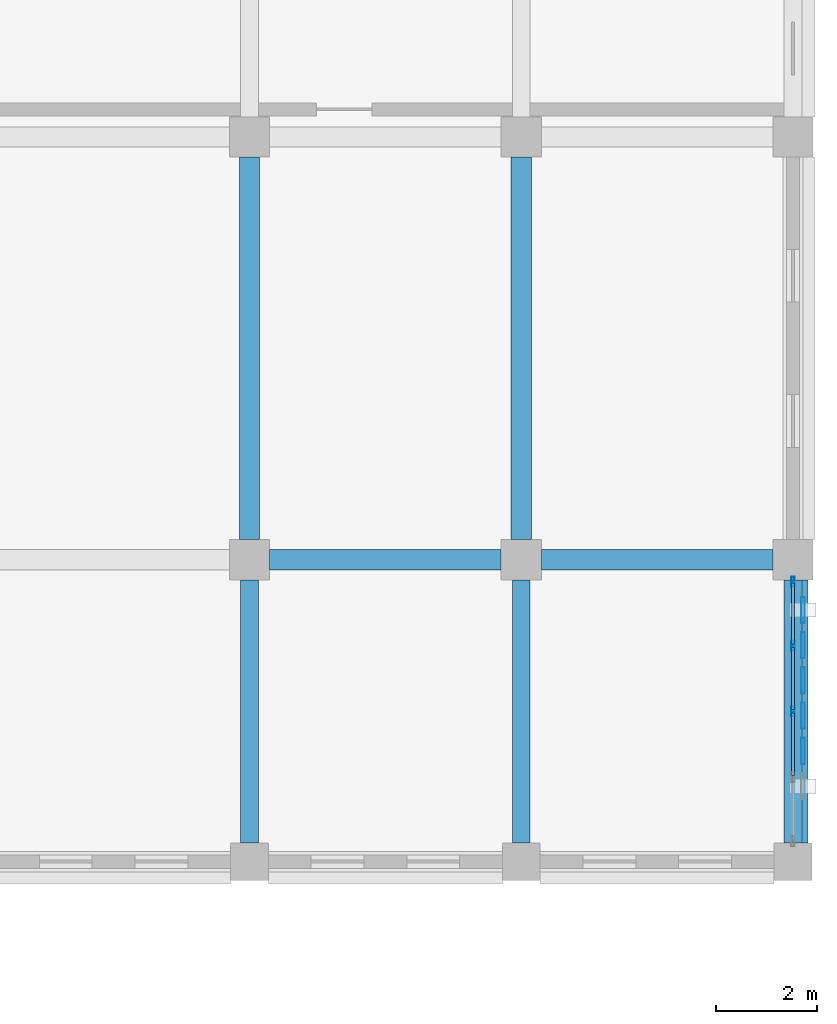
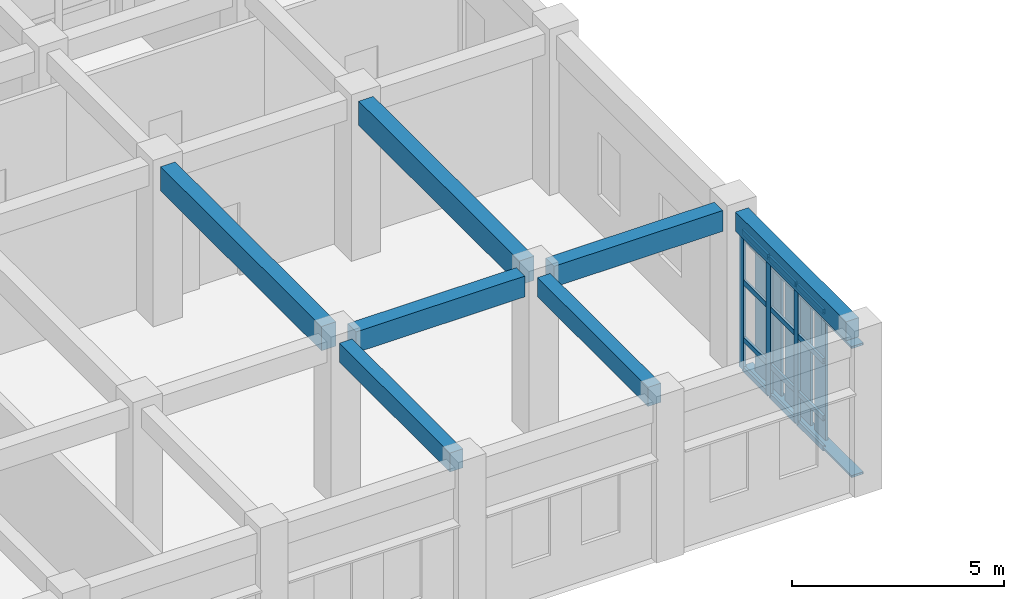
# One storey, part 51 of 76: 22 members, 7 beams, 1 element without a shape of its own.
"""IFC4 building model written with IfcOpenShell, lengths in metres."""

from ifc_helpers import new_model, si_unit, direction, frame, origin, origin_2d, place, context, subcontext, project, spatial, rectangle, hollow_rectangle, extrude, material, layer, layer_set, material_profile, profile_set, type_object, element, aggregate, save


model = new_model("IFC4")

# Units and contexts
model_context = context("Model", 3, precision=1e-05, world=origin(), true_north=direction((0.0, 1.0)))
body_context = subcontext(model_context, "Body", "Model", "MODEL_VIEW")
ifc_project = project(units=[si_unit("LENGTHUNIT", "METRE"), si_unit("AREAUNIT", "SQUARE_METRE"), si_unit("VOLUMEUNIT", "CUBIC_METRE"), si_unit("PLANEANGLEUNIT", "RADIAN"), si_unit("MASSUNIT", "GRAM", prefix="KILO")], contexts=[model_context])

# Site, building, storey
site_placement = place(None, origin())
site = spatial("IfcSite", under=ifc_project, at=site_placement, CompositionType="ELEMENT")
building_placement = place(site_placement, origin())
building = spatial("IfcBuilding", under=site, at=building_placement, Name="Krzemoval Escarpment Law Courts", CompositionType="ELEMENT")
storey_placement = place(building_placement, frame((0.0, 0.0, 20.39990234375)))
storey = spatial("IfcBuildingStorey", under=building, at=storey_placement, Name="L04", CompositionType="ELEMENT", Elevation=20.39990234375)

# Beams
ifc_material_1 = material(Name="Concrete C40/50", Category="concrete")
ifc_material_profile_1 = material_profile(ifc_material_1, rectangle(XDim=0.35009765625, YDim=0.550048828125, at=origin_2d()), Name="RCB 350x550")
ifc_profile_set_1 = profile_set([ifc_material_profile_1], Name="Concrete C40/50")
beam_type_1 = type_object("IfcBeamType", Name="BM-RC-350x550", PredefinedType="BEAM", material=ifc_profile_set_1)
for number, where, z_axis, x_axis, name in (
    (1, (162.0, 93.97509765625, 4.275146484375), (0.0, 1.0, 0.0), (-1.0, 0.0, 0.0), "Beam FG-L04-2532"),
    (2, (167.39990234375, 93.97509765625, 4.275146484375), (0.0, 1.0, 0.0), (-1.0, 0.0, 0.0), "Beam FG-L04-2536"),
    (3, (172.800048828125, 93.97509765625, 4.275146484375), (0.0, 1.0, 0.0), (-1.0, 0.0, 0.0), "Beam FG-L04-2540"),
):
    element("IfcBeam", number, at=place(storey_placement, frame(where, z_axis=z_axis, x_axis=x_axis)), inside=storey, type_object=beam_type_1, Name=name, PredefinedType="BEAM", context=body_context, shape_type="SweptSolid", body=[
        extrude(rectangle(XDim=0.35009765625, YDim=0.550048828125, at=origin_2d()), origin(), (0.0, 0.0, 1.0), 5.224853515625),
    ])
ifc_material_2 = material(Name="Concrete C40/50", Category="concrete")
ifc_material_profile_2 = material_profile(ifc_material_2, rectangle(XDim=0.39990234375, YDim=0.60009765625, at=origin_2d()), Name="RCB 400x600")
ifc_profile_set_2 = profile_set([ifc_material_profile_2], Name="Concrete C40/50")
beam_type_2 = type_object("IfcBeamType", Name="BM-RC-400x600", PredefinedType="BEAM", material=ifc_profile_set_2)
beam_1_placement = place(storey_placement, frame((162.39990234375, 99.60009765625, 4.25), z_axis=(1.0, 0.0, 0.0), x_axis=(0.0, 1.0, 0.0)))
element("IfcBeam", 4, at=beam_1_placement, inside=storey, type_object=beam_type_2, Name="Beam FG-L04-2462", PredefinedType="BEAM", context=body_context, shape_type="SweptSolid", body=[
    extrude(rectangle(XDim=0.39990234375, YDim=0.60009765625, at=origin_2d()), origin(), (0.0, 0.0, 1.0), 4.60009765625),
])
beam_2_placement = place(storey_placement, frame((167.800048828125, 99.60009765625, 4.25), z_axis=(1.0, 0.0, 0.0), x_axis=(0.0, 1.0, 0.0)))
element("IfcBeam", 5, at=beam_2_placement, inside=storey, type_object=beam_type_2, Name="Beam FG-L04-2463", PredefinedType="BEAM", context=body_context, shape_type="SweptSolid", body=[
    extrude(rectangle(XDim=0.39990234375, YDim=0.60009765625, at=origin_2d()), origin(), (0.0, 0.0, 1.0), 4.599853515625),
])
ifc_material_3 = material(Name="Concrete C40/50", Category="concrete")
ifc_material_profile_3 = material_profile(ifc_material_3, rectangle(XDim=0.39990234375, YDim=0.699951171875, at=origin_2d()), Name="RCB 400x700")
ifc_profile_set_3 = profile_set([ifc_material_profile_3], Name="Concrete C40/50")
beam_type_3 = type_object("IfcBeamType", Name="BM-RC-400x700", PredefinedType="BEAM", material=ifc_profile_set_3)
for number, where, z_axis, x_axis, name in (
    (6, (162.0, 100.0, 4.2001953125), (0.0, 1.0, 0.0), (-1.0, 0.0, 0.0), "Beam FG-L04-2533"),
    (7, (167.39990234375, 100.0, 4.2001953125), (0.0, 1.0, 0.0), (-1.0, 0.0, 0.0), "Beam FG-L04-2537"),
):
    element("IfcBeam", number, at=place(storey_placement, frame(where, z_axis=z_axis, x_axis=x_axis)), inside=storey, type_object=beam_type_3, Name=name, PredefinedType="BEAM", context=body_context, shape_type="SweptSolid", body=[
        extrude(rectangle(XDim=0.39990234375, YDim=0.699951171875, at=origin_2d()), origin(), (0.0, 0.0, 1.0), 7.60009765625),
    ])

# Curtain wall, members
ifc_material_4 = material(Name="Aluminium 6063-T6", Category="aluminium")
ifc_layer = layer(ifc_material_4, 0.219970703125)
ifc_layer_set = layer_set([ifc_layer], Name="Aluminium 6063-T6")
curtain_wall_type = type_object("IfcCurtainWallType", Name="CW-CHMB-4200", PredefinedType="USERDEFINED", material=ifc_layer_set)
curtain_wall_placement = place(storey_placement, origin())
curtain_wall = element("IfcCurtainWall", 8, at=curtain_wall_placement, inside=storey, type_object=curtain_wall_type, Name="Unitised Curtain Wall FCW-L04-131", ObjectType="UNITISED_CURTAIN_WALL", PredefinedType="USERDEFINED")
ifc_material_5 = material(Name="Aluminium 6063-T6", Category="aluminium")
ifc_material_profile_4 = material_profile(ifc_material_5, hollow_rectangle(XDim=0.06494140625, YDim=0.199951171875, WallThickness=0.00439453125, at=origin_2d()), Name="ALU M65x200")
ifc_profile_set_4 = profile_set([ifc_material_profile_4], Name="Aluminium 6063-T6")
member_type_1 = type_object("IfcMemberType", Name="CWM-65x200", PredefinedType="MULLION", material=ifc_profile_set_4)
member_1_placement = place(storey_placement, frame((172.800048828125, 99.16748046875, 0.0), z_axis=(0.0, 0.0, 1.0), x_axis=(1.0, 0.0, 0.0)))
member_1 = element("IfcMember", 9, at=member_1_placement, type_object=member_type_1, Name="FCW-L04-131 mullion 1", PredefinedType="MULLION", context=body_context, shape_type="SweptSolid", body=[
    extrude(hollow_rectangle(XDim=0.06494140625, YDim=0.199951171875, WallThickness=0.00439453125, at=origin_2d()), origin(), (0.0, 0.0, 1.0), 4.0),
])
member_2_placement = place(storey_placement, frame((172.800048828125, 97.893798828125, 0.0), z_axis=(0.0, 0.0, 1.0), x_axis=(1.0, 0.0, 0.0)))
member_2 = element("IfcMember", 10, at=member_2_placement, type_object=member_type_1, Name="FCW-L04-131 mullion 2", PredefinedType="MULLION", context=body_context, shape_type="SweptSolid", body=[
    extrude(hollow_rectangle(XDim=0.06494140625, YDim=0.199951171875, WallThickness=0.00439453125, at=origin_2d()), origin(), (0.0, 0.0, 1.0), 4.0),
])
member_3_placement = place(storey_placement, frame((172.800048828125, 96.58740234375, 0.0), z_axis=(0.0, 0.0, 1.0), x_axis=(1.0, 0.0, 0.0)))
member_3 = element("IfcMember", 11, at=member_3_placement, type_object=member_type_1, Name="FCW-L04-131 mullion 3", PredefinedType="MULLION", context=body_context, shape_type="SweptSolid", body=[
    extrude(hollow_rectangle(XDim=0.06494140625, YDim=0.199951171875, WallThickness=0.00439453125, at=origin_2d()), origin(), (0.0, 0.0, 1.0), 4.0),
])
ifc_material_6 = material(Name="Aluminium 6063-T6", Category="aluminium")
ifc_material_profile_5 = material_profile(ifc_material_6, hollow_rectangle(XDim=0.06494140625, YDim=0.14990234375, WallThickness=0.00439453125, at=origin_2d()), Name="ALU T65x150")
ifc_profile_set_5 = profile_set([ifc_material_profile_5], Name="Aluminium 6063-T6")
member_type_2 = type_object("IfcMemberType", Name="CWT-65x150", PredefinedType="USERDEFINED", material=ifc_profile_set_5)
member_4_placement = place(storey_placement, frame((172.800048828125, 99.135009765625, 0.03271484375), z_axis=(0.0, -1.0, 0.0), x_axis=(1.0, 0.0, 0.0)))
member_4 = element("IfcMember", 12, at=member_4_placement, type_object=member_type_2, Name="FCW-L04-131 transom 1.1", ObjectType="TRANSOM", PredefinedType="USERDEFINED", context=body_context, shape_type="SweptSolid", body=[
    extrude(hollow_rectangle(XDim=0.06494140625, YDim=0.14990234375, WallThickness=0.00439453125, at=origin_2d()), origin(), (0.0, 0.0, 1.0), 1.208740234375),
])
member_5_placement = place(storey_placement, frame((172.800048828125, 99.135009765625, 0.900146484375), z_axis=(0.0, -1.0, 0.0), x_axis=(1.0, 0.0, 0.0)))
member_5 = element("IfcMember", 13, at=member_5_placement, type_object=member_type_2, Name="FCW-L04-131 transom 1.2", ObjectType="TRANSOM", PredefinedType="USERDEFINED", context=body_context, shape_type="SweptSolid", body=[
    extrude(hollow_rectangle(XDim=0.06494140625, YDim=0.14990234375, WallThickness=0.00439453125, at=origin_2d()), origin(), (0.0, 0.0, 1.0), 1.208740234375),
])
member_6_placement = place(storey_placement, frame((172.800048828125, 99.135009765625, 2.550048828125), z_axis=(0.0, -1.0, 0.0), x_axis=(1.0, 0.0, 0.0)))
member_6 = element("IfcMember", 14, at=member_6_placement, type_object=member_type_2, Name="FCW-L04-131 transom 1.3", ObjectType="TRANSOM", PredefinedType="USERDEFINED", context=body_context, shape_type="SweptSolid", body=[
    extrude(hollow_rectangle(XDim=0.06494140625, YDim=0.14990234375, WallThickness=0.00439453125, at=origin_2d()), origin(), (0.0, 0.0, 1.0), 1.208740234375),
])
member_7_placement = place(storey_placement, frame((172.800048828125, 99.135009765625, 3.967529296875), z_axis=(0.0, -1.0, 0.0), x_axis=(1.0, 0.0, 0.0)))
member_7 = element("IfcMember", 15, at=member_7_placement, type_object=member_type_2, Name="FCW-L04-131 transom 1.4", ObjectType="TRANSOM", PredefinedType="USERDEFINED", context=body_context, shape_type="SweptSolid", body=[
    extrude(hollow_rectangle(XDim=0.06494140625, YDim=0.14990234375, WallThickness=0.00439453125, at=origin_2d()), origin(), (0.0, 0.0, 1.0), 1.208740234375),
])
member_8_placement = place(storey_placement, frame((172.800048828125, 97.861328125, 0.03271484375), z_axis=(0.0, -1.0, 0.0), x_axis=(1.0, 0.0, 0.0)))
member_8 = element("IfcMember", 16, at=member_8_placement, type_object=member_type_2, Name="FCW-L04-131 transom 2.1", ObjectType="TRANSOM", PredefinedType="USERDEFINED", context=body_context, shape_type="SweptSolid", body=[
    extrude(hollow_rectangle(XDim=0.06494140625, YDim=0.14990234375, WallThickness=0.00439453125, at=origin_2d()), origin(), (0.0, 0.0, 1.0), 1.2412109375),
])
member_9_placement = place(storey_placement, frame((172.800048828125, 97.861328125, 0.900146484375), z_axis=(0.0, -1.0, 0.0), x_axis=(1.0, 0.0, 0.0)))
member_9 = element("IfcMember", 17, at=member_9_placement, type_object=member_type_2, Name="FCW-L04-131 transom 2.2", ObjectType="TRANSOM", PredefinedType="USERDEFINED", context=body_context, shape_type="SweptSolid", body=[
    extrude(hollow_rectangle(XDim=0.06494140625, YDim=0.14990234375, WallThickness=0.00439453125, at=origin_2d()), origin(), (0.0, 0.0, 1.0), 1.2412109375),
])
member_10_placement = place(storey_placement, frame((172.800048828125, 97.861328125, 2.550048828125), z_axis=(0.0, -1.0, 0.0), x_axis=(1.0, 0.0, 0.0)))
member_10 = element("IfcMember", 18, at=member_10_placement, type_object=member_type_2, Name="FCW-L04-131 transom 2.3", ObjectType="TRANSOM", PredefinedType="USERDEFINED", context=body_context, shape_type="SweptSolid", body=[
    extrude(hollow_rectangle(XDim=0.06494140625, YDim=0.14990234375, WallThickness=0.00439453125, at=origin_2d()), origin(), (0.0, 0.0, 1.0), 1.2412109375),
])
member_11_placement = place(storey_placement, frame((172.800048828125, 97.861328125, 3.967529296875), z_axis=(0.0, -1.0, 0.0), x_axis=(1.0, 0.0, 0.0)))
member_11 = element("IfcMember", 19, at=member_11_placement, type_object=member_type_2, Name="FCW-L04-131 transom 2.4", ObjectType="TRANSOM", PredefinedType="USERDEFINED", context=body_context, shape_type="SweptSolid", body=[
    extrude(hollow_rectangle(XDim=0.06494140625, YDim=0.14990234375, WallThickness=0.00439453125, at=origin_2d()), origin(), (0.0, 0.0, 1.0), 1.2412109375),
])
member_12_placement = place(storey_placement, frame((172.800048828125, 96.554931640625, 0.03271484375), z_axis=(0.0, -1.0, 0.0), x_axis=(1.0, 0.0, 0.0)))
member_12 = element("IfcMember", 20, at=member_12_placement, type_object=member_type_2, Name="FCW-L04-131 transom 3.1", ObjectType="TRANSOM", PredefinedType="USERDEFINED", context=body_context, shape_type="SweptSolid", body=[
    extrude(hollow_rectangle(XDim=0.06494140625, YDim=0.14990234375, WallThickness=0.00439453125, at=origin_2d()), origin(), (0.0, 0.0, 1.0), 1.2412109375),
])
member_13_placement = place(storey_placement, frame((172.800048828125, 96.554931640625, 0.900146484375), z_axis=(0.0, -1.0, 0.0), x_axis=(1.0, 0.0, 0.0)))
member_13 = element("IfcMember", 21, at=member_13_placement, type_object=member_type_2, Name="FCW-L04-131 transom 3.2", ObjectType="TRANSOM", PredefinedType="USERDEFINED", context=body_context, shape_type="SweptSolid", body=[
    extrude(hollow_rectangle(XDim=0.06494140625, YDim=0.14990234375, WallThickness=0.00439453125, at=origin_2d()), origin(), (0.0, 0.0, 1.0), 1.2412109375),
])
member_14_placement = place(storey_placement, frame((172.800048828125, 96.554931640625, 2.550048828125), z_axis=(0.0, -1.0, 0.0), x_axis=(1.0, 0.0, 0.0)))
member_14 = element("IfcMember", 22, at=member_14_placement, type_object=member_type_2, Name="FCW-L04-131 transom 3.3", ObjectType="TRANSOM", PredefinedType="USERDEFINED", context=body_context, shape_type="SweptSolid", body=[
    extrude(hollow_rectangle(XDim=0.06494140625, YDim=0.14990234375, WallThickness=0.00439453125, at=origin_2d()), origin(), (0.0, 0.0, 1.0), 1.2412109375),
])
member_15_placement = place(storey_placement, frame((172.800048828125, 96.554931640625, 3.967529296875), z_axis=(0.0, -1.0, 0.0), x_axis=(1.0, 0.0, 0.0)))
member_15 = element("IfcMember", 23, at=member_15_placement, type_object=member_type_2, Name="FCW-L04-131 transom 3.4", ObjectType="TRANSOM", PredefinedType="USERDEFINED", context=body_context, shape_type="SweptSolid", body=[
    extrude(hollow_rectangle(XDim=0.06494140625, YDim=0.14990234375, WallThickness=0.00439453125, at=origin_2d()), origin(), (0.0, 0.0, 1.0), 1.2412109375),
])
aggregate(curtain_wall, [member_1, member_2, member_3, member_4, member_5, member_6, member_7, member_8, member_9, member_10, member_11, member_12, member_13, member_14, member_15])

# Members
ifc_material_7 = material(Name="Anodised Aluminium Alloy 6063-T6", Category="aluminium")
ifc_material_profile_6 = material_profile(ifc_material_7, hollow_rectangle(XDim=0.06005859375, YDim=0.320068359375, WallThickness=0.00390625, at=origin_2d()), Name="ALU LVR 60x320")
ifc_profile_set_6 = profile_set([ifc_material_profile_6], Name="Anodised Aluminium Alloy 6063-T6")
member_type_3 = type_object("IfcMemberType", Name="LVR-ALU-320", PredefinedType="USERDEFINED", material=ifc_profile_set_6)
for number, where, z_axis, x_axis, name in (
    (24, (172.93994140625, 99.199951171875, 0.030029296875), (0.0, -1.0, 0.0), (0.0, 0.0, 1.0), "Sunshade Support Rail FSR-L04-0869"),
    (25, (172.93994140625, 99.199951171875, 3.75), (0.0, -1.0, 0.0), (0.0, 0.0, 1.0), "Sunshade Support Rail FSR-L04-0870"),
):
    element("IfcMember", number, at=place(storey_placement, frame(where, z_axis=z_axis, x_axis=x_axis)), inside=storey, type_object=member_type_3, Name=name, ObjectType="SUNSHADE_LOUVRE", PredefinedType="USERDEFINED", context=body_context, shape_type="SweptSolid", body=[
        extrude(hollow_rectangle(XDim=0.06005859375, YDim=0.320068359375, WallThickness=0.00390625, at=origin_2d()), origin(), (0.0, 0.0, 1.0), 5.224853515625),
    ])
ifc_material_8 = material(Name="Anodised Aluminium Alloy 6063-T6", Category="aluminium")
ifc_material_profile_7 = material_profile(ifc_material_8, hollow_rectangle(XDim=0.06494140625, YDim=0.52001953125, WallThickness=0.00439453125, at=origin_2d()), Name="ALU LVR 65x520")
ifc_profile_set_7 = profile_set([ifc_material_profile_7], Name="Anodised Aluminium Alloy 6063-T6")
member_type_4 = type_object("IfcMemberType", Name="LVR-ALU-520", PredefinedType="USERDEFINED", material=ifc_profile_set_7)
for number, where, z_axis, x_axis, name in (
    (26, (173.0, 98.60009765625, 0.06005859375), (0.0, 0.0, 1.0), (1.0, 0.0, 0.0), "Sunshade Louvre Fin FLV-L04-0871"),
    (27, (173.0, 97.89990234375, 0.06005859375), (0.0, 0.0, 1.0), (1.0, 0.0, 0.0), "Sunshade Louvre Fin FLV-L04-0872"),
    (28, (173.0, 97.199951171875, 0.06005859375), (0.0, 0.0, 1.0), (1.0, 0.0, 0.0), "Sunshade Louvre Fin FLV-L04-0873"),
    (29, (173.0, 96.5, 0.06005859375), (0.0, 0.0, 1.0), (1.0, 0.0, 0.0), "Sunshade Louvre Fin FLV-L04-0874"),
    (30, (173.0, 95.800048828125, 0.06005859375), (0.0, 0.0, 1.0), (1.0, 0.0, 0.0), "Sunshade Louvre Fin FLV-L04-0875"),
):
    element("IfcMember", number, at=place(storey_placement, frame(where, z_axis=z_axis, x_axis=x_axis)), inside=storey, type_object=member_type_4, Name=name, ObjectType="SUNSHADE_LOUVRE", PredefinedType="USERDEFINED", context=body_context, shape_type="SweptSolid", body=[
        extrude(hollow_rectangle(XDim=0.06494140625, YDim=0.52001953125, WallThickness=0.00439453125, at=origin_2d()), origin(), (0.0, 0.0, 1.0), 3.93994140625),
    ])

save(model, "model.ifc")
